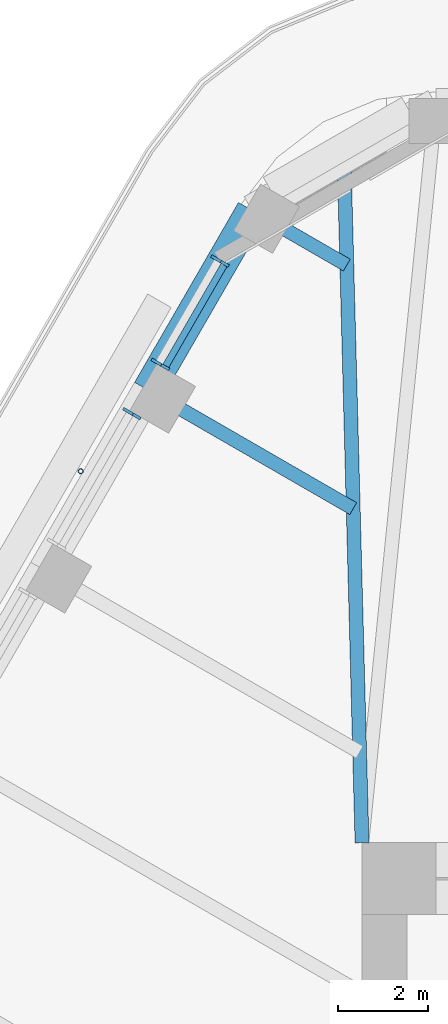
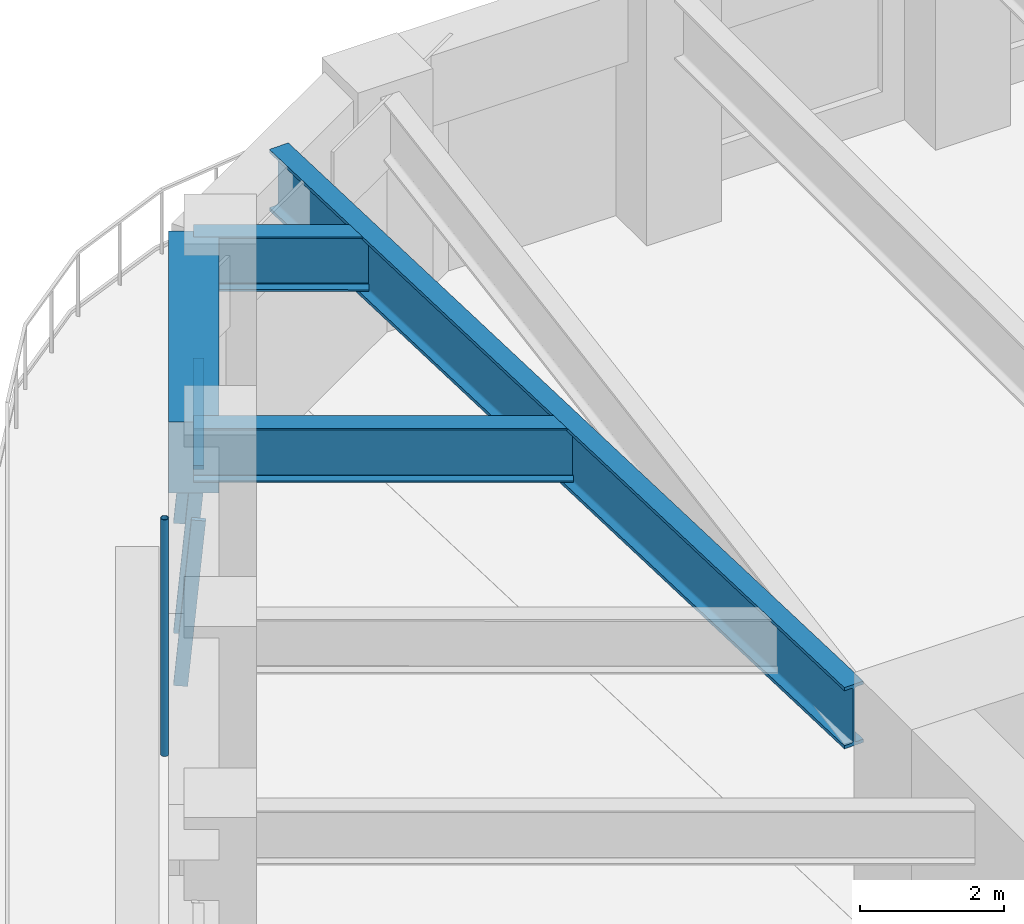
# One storey, part 8 of 20: 5 members, 4 beams, 2 elements without a shape of their own.
"""IFC4 building model written with IfcOpenShell, lengths in metres."""

from ifc_helpers import new_model, si_unit, direction, frame, origin, origin_2d, place, context, subcontext, project, spatial, rectangle, hollow_circle, i_section, extrude, material, material_profile, profile_set, type_object, element, aggregate, save


model = new_model("IFC4")

# Units and contexts
model_context = context("Model", 3, precision=1e-05, world=origin(), true_north=direction((0.0, 1.0)))
body_context = subcontext(model_context, "Body", "Model", "MODEL_VIEW")
ifc_project = project(units=[si_unit("LENGTHUNIT", "METRE"), si_unit("AREAUNIT", "SQUARE_METRE"), si_unit("VOLUMEUNIT", "CUBIC_METRE"), si_unit("PLANEANGLEUNIT", "RADIAN"), si_unit("MASSUNIT", "GRAM", prefix="KILO")], contexts=[model_context])

# Site, building, storey
site_placement = place(None, origin())
site = spatial("IfcSite", under=ifc_project, at=site_placement, CompositionType="ELEMENT")
building_placement = place(site_placement, origin())
building = spatial("IfcBuilding", under=site, at=building_placement, Name="Tarfa Lantern Tower", CompositionType="ELEMENT")
storey_placement = place(building_placement, frame((0.0, 0.0, 257.5)))
storey = spatial("IfcBuildingStorey", under=building, at=storey_placement, Name="L58", CompositionType="ELEMENT", Elevation=257.5)

# Curtain wall, members
ifc_material_1 = material(Name="Aluminium framed curtain wall", Category="aluminium")
curtain_wall_type = type_object("IfcCurtainWallType", Name="CW3 CANTED GLAZING HIGH ZONE 2800", PredefinedType="USERDEFINED", material=ifc_material_1)
curtain_wall_1_placement = place(storey_placement, origin())
curtain_wall_1 = element("IfcCurtainWall", 1, at=curtain_wall_1_placement, inside=storey, type_object=curtain_wall_type, Name="CW3 NW L58", ObjectType="CURTAIN WALL", PredefinedType="USERDEFINED")
ifc_material_2 = material(Name="Aluminium mullion", Category="aluminium")
ifc_material_profile_1 = material_profile(ifc_material_2, rectangle(XDim=0.06494140625, YDim=0.199951171875, at=origin_2d()), Name="AL MULLION 65x200")
ifc_profile_set_1 = profile_set([ifc_material_profile_1], Name="Aluminium mullion")
member_type_1 = type_object("IfcMemberType", Name="CWM1 MULLION 65x200", PredefinedType="MULLION", material=ifc_profile_set_1)
member_1_placement = place(storey_placement, frame((-18.76611328125, 25.296142578125, 0.0), z_axis=(0.077032386753, -0.044465143199, 0.996036576854), x_axis=(0.499919672301, 0.866071776036, 0.0)))
member_1 = element("IfcMember", 2, at=member_1_placement, type_object=member_type_1, Name="CW3 mullion 1", PredefinedType="MULLION", context=body_context, shape_type="SweptSolid", body=[
    extrude(rectangle(XDim=0.06494140625, YDim=0.199951171875, at=origin_2d()), origin(), (0.0, 0.0, 1.0), 2.811279296875),
])
member_2_placement = place(storey_placement, frame((-20.093017578125, 22.997802734375, 0.0), z_axis=(0.077032386753, -0.044465143199, 0.996036576854), x_axis=(0.499919672301, 0.866071776036, 0.0)))
member_2 = element("IfcMember", 3, at=member_2_placement, type_object=member_type_1, Name="CW3 mullion 2", PredefinedType="MULLION", context=body_context, shape_type="SweptSolid", body=[
    extrude(rectangle(XDim=0.06494140625, YDim=0.199951171875, at=origin_2d()), origin(), (0.0, 0.0, 1.0), 2.811279296875),
])

# Curtain wall, member
curtain_wall_2_placement = place(storey_placement, origin())
curtain_wall_2 = element("IfcCurtainWall", 4, at=curtain_wall_2_placement, inside=storey, type_object=curtain_wall_type, Name="CW3 NW L58", ObjectType="CURTAIN WALL", PredefinedType="USERDEFINED")
member_3_placement = place(storey_placement, frame((-20.7255859375, 21.90234375, 0.0), z_axis=(0.077032386753, -0.044465143199, 0.996036576854), x_axis=(0.499919672301, 0.866071776036, 0.0)))
member_3 = element("IfcMember", 5, at=member_3_placement, type_object=member_type_1, Name="CW3 mullion 1", PredefinedType="MULLION", context=body_context, shape_type="SweptSolid", body=[
    extrude(rectangle(XDim=0.06494140625, YDim=0.199951171875, at=origin_2d()), origin(), (0.0, 0.0, 1.0), 2.811279296875),
])
aggregate(curtain_wall_2, [member_3])

# Member
ifc_material_3 = material(Name="Aluminium transom", Category="aluminium")
ifc_material_profile_2 = material_profile(ifc_material_3, rectangle(XDim=0.14990234375, YDim=0.06494140625, at=origin_2d()), Name="AL TRANSOM 150x65")
ifc_profile_set_2 = profile_set([ifc_material_profile_2], Name="Aluminium transom")
member_type_2 = type_object("IfcMemberType", Name="CWT1 TRANSOM 150x65", PredefinedType="USERDEFINED", material=ifc_profile_set_2)
member_4_placement = place(storey_placement, frame((-18.568359375, 25.144287109375, 2.767578125), z_axis=(-0.5000136139, -0.866017543653, 0.0), x_axis=(0.866017543653, -0.5000136139, 0.0)))
member_4 = element("IfcMember", 6, at=member_4_placement, type_object=member_type_2, Name="CW3 transom 1.2", ObjectType="TRANSOM", PredefinedType="USERDEFINED", context=body_context, shape_type="SweptSolid", body=[
    extrude(rectangle(XDim=0.14990234375, YDim=0.06494140625, at=origin_2d()), origin(), (0.0, 0.0, 1.0), 2.5888671875),
])

aggregate(curtain_wall_1, [member_1, member_2, member_4])

# Beam
ifc_material_4 = material(Name="Concrete C80/95", Category="concrete")
ifc_material_profile_3 = material_profile(ifc_material_4, rectangle(XDim=0.699951171875, YDim=1.199951171875, at=origin_2d()), Name="RC 700x1200")
ifc_profile_set_3 = profile_set([ifc_material_profile_3], Name="Concrete C80/95")
beam_type_1 = type_object("IfcBeamType", Name="EB3 RC 700x1200", PredefinedType="SPANDREL", material=ifc_profile_set_3)
beam_1_placement = place(storey_placement, frame((-17.944091796875, 26.360107421875, 3.39990234375), z_axis=(-0.499987836815, -0.866032426089, 0.0), x_axis=(0.866032426089, -0.499987836815, 0.0)))
element("IfcBeam", 7, at=beam_1_placement, inside=storey, type_object=beam_type_1, Name="Edge beam NW0", PredefinedType="SPANDREL", context=body_context, shape_type="SweptSolid", body=[
    extrude(rectangle(XDim=0.699951171875, YDim=1.199951171875, at=origin_2d()), origin(), (0.0, 0.0, 1.0), 4.61865234375),
])

# Member
ifc_material_5 = material(Name="Steel S355", Category="steel")
ifc_material_profile_4 = material_profile(ifc_material_5, hollow_circle(Radius=0.05712890625, WallThickness=0.00634765625, at=origin_2d()), Name="CHS114.3x6.3")
ifc_profile_set_4 = profile_set([ifc_material_profile_4], Name="Steel S355")
member_type_3 = type_object("IfcMemberType", Name="TR1 GREEN WALL TRELLIS CHS114.3x6.3", PredefinedType="USERDEFINED", material=ifc_profile_set_4)
member_5_placement = place(storey_placement, frame((-21.754638671875, 20.56005859375, 0.0), z_axis=(0.0, 0.0, 1.0), x_axis=(1.0, 0.0, 0.0)))
element("IfcMember", 8, at=member_5_placement, inside=storey, type_object=member_type_3, Name="Trellis post NW 1", ObjectType="TRELLIS", PredefinedType="USERDEFINED", context=body_context, shape_type="SweptSolid", body=[
    extrude(hollow_circle(Radius=0.05712890625, WallThickness=0.00634765625, at=origin_2d()), origin(), (0.0, 0.0, 1.0), 4.0),
])

# Beams
ifc_material_6 = material(Name="Steel S460M", Category="steel")
ifc_material_profile_5 = material_profile(ifc_material_6, i_section(OverallWidth=0.30859375, OverallDepth=1.036376953125, WebThickness=0.030029296875, FlangeThickness=0.05419921875, FilletRadius=0.030029296875, at=origin_2d()), Name="UB1016x305x487")
ifc_profile_set_5 = profile_set([ifc_material_profile_5], Name="Steel S460M")
beam_type_2 = type_object("IfcBeamType", Name="UB1016x305x487", PredefinedType="BEAM", material=ifc_profile_set_5)
beam_2_placement = place(storey_placement, frame((-15.5, 12.300048828125, 3.48193359375), z_axis=(-0.026247301989, 0.999655480222, 0.0), x_axis=(-0.999655480222, -0.026247301989, 0.0)))
element("IfcBeam", 9, at=beam_2_placement, inside=storey, type_object=beam_type_2, Name="Hip girder NW", PredefinedType="BEAM", context=body_context, shape_type="SweptSolid", body=[
    extrude(i_section(OverallWidth=0.30859375, OverallDepth=1.036376953125, WebThickness=0.030029296875, FlangeThickness=0.05419921875, FilletRadius=0.030029296875, at=origin_2d()), origin(), (0.0, 0.0, 1.0), 15.245361328125),
])
ifc_material_profile_6 = material_profile(ifc_material_6, i_section(OverallWidth=0.305419921875, OverallDepth=0.91845703125, WebThickness=0.017333984375, FlangeThickness=0.02783203125, FilletRadius=0.01904296875, at=origin_2d()), Name="UB914x305x253")
ifc_profile_set_6 = profile_set([ifc_material_profile_6], Name="Steel S460M")
beam_type_3 = type_object("IfcBeamType", Name="UB914x305x253", PredefinedType="BEAM", material=ifc_profile_set_6)
beam_3_placement = place(storey_placement, frame((-17.944091796875, 26.360107421875, 3.540771484375), z_axis=(0.865980009423, -0.5000786171, 0.0), x_axis=(0.5000786171, 0.865980009423, 0.0)))
element("IfcBeam", 10, at=beam_3_placement, inside=storey, type_object=beam_type_3, Name="Floor beam NW0", PredefinedType="BEAM", context=body_context, shape_type="SweptSolid", body=[
    extrude(i_section(OverallWidth=0.305419921875, OverallDepth=0.91845703125, WebThickness=0.017333984375, FlangeThickness=0.02783203125, FilletRadius=0.01904296875, at=origin_2d()), origin(), (0.0, 0.0, 1.0), 2.4326171875),
])
beam_4_placement = place(storey_placement, frame((-20.25341796875, 22.360107421875, 3.540771484375), z_axis=(0.86601951648, -0.500010196972, 0.0), x_axis=(0.500010196972, 0.86601951648, 0.0)))
element("IfcBeam", 11, at=beam_4_placement, inside=storey, type_object=beam_type_3, Name="Floor beam NW1", PredefinedType="BEAM", context=body_context, shape_type="SweptSolid", body=[
    extrude(i_section(OverallWidth=0.305419921875, OverallDepth=0.91845703125, WebThickness=0.017333984375, FlangeThickness=0.02783203125, FilletRadius=0.01904296875, at=origin_2d()), origin(), (0.0, 0.0, 1.0), 5.263671875),
])

save(model, "model.ifc")
